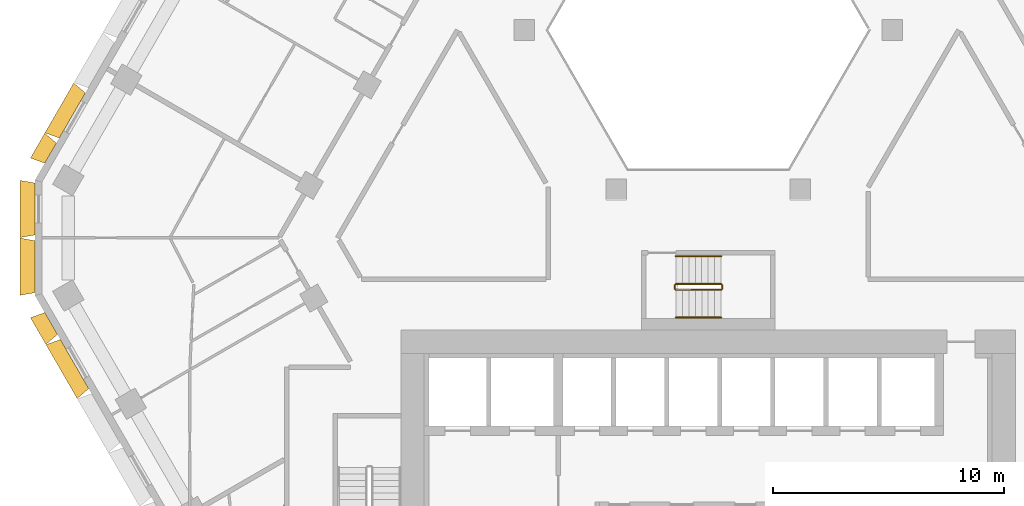
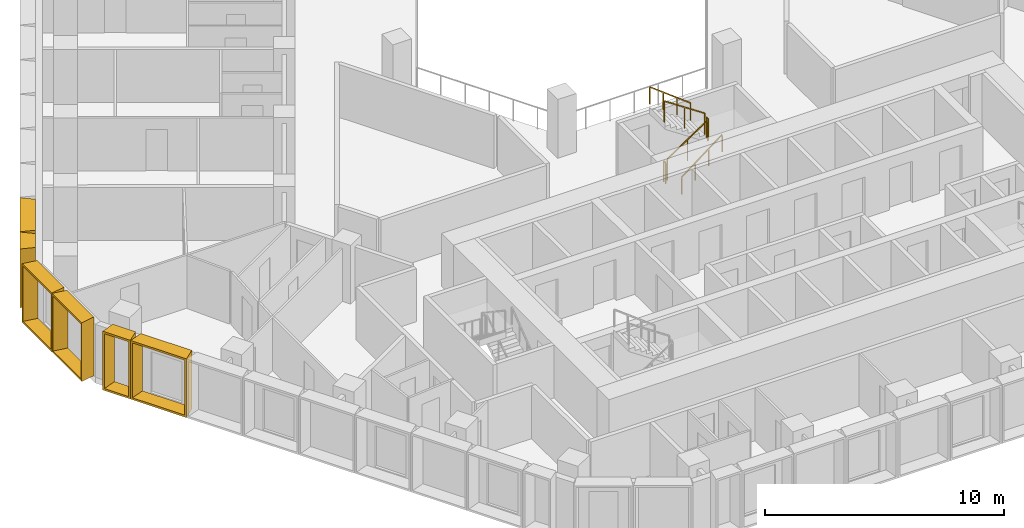
# One storey, part 14 of 16: 6 railings, 6 shading devices.
"""IFC4 building model written with IfcOpenShell, lengths in metres."""

from ifc_helpers import new_model, entity, si_unit, direction, frame, origin, origin_2d, place, context, subcontext, project, spatial, rectangle, extrude, source, transform, mapped, material, type_object, type_shapes, element, save


model = new_model("IFC4")

# Units and contexts
model_context = context("Model", 3, precision=1e-05, world=origin(), true_north=direction((0.0, 1.0)))
body_context = subcontext(model_context, "Body", "Model", "MODEL_VIEW")
ifc_project = project(units=[si_unit("LENGTHUNIT", "METRE"), si_unit("AREAUNIT", "SQUARE_METRE"), si_unit("VOLUMEUNIT", "CUBIC_METRE"), si_unit("PLANEANGLEUNIT", "RADIAN"), si_unit("MASSUNIT", "GRAM", prefix="KILO")], contexts=[model_context])

# Site, building, storey
site_placement = place(None, origin())
site = spatial("IfcSite", under=ifc_project, at=site_placement, CompositionType="ELEMENT")
building_placement = place(site_placement, origin())
building = spatial("IfcBuilding", under=site, at=building_placement, Name="Beryl Residences", CompositionType="ELEMENT")
storey_placement = place(building_placement, frame((0.0, 0.0, 96.0)))
storey = spatial("IfcBuildingStorey", under=building, at=storey_placement, Name="L29", CompositionType="ELEMENT", Elevation=96.0)

# Shading devices
ifc_material_1 = material(Name="Aluminium pale anodised", Category="aluminium")
shading_device_type_1 = type_object("IfcShadingDeviceType", Name="FR126-65A OUTER SKIN frame 650 mm deep, splay 10/10 deg, 1260 x 3000 mm cell", PredefinedType="USERDEFINED", material=ifc_material_1)
cartesian_point_1 = entity("IfcCartesianPoint", [-0.5048828125, 0.0])
cartesian_point_2 = entity("IfcCartesianPoint", [-0.423828125, 0.10009765625])
cartesian_point_3 = entity("IfcCartesianPoint", [-0.61962890625, 0.0])
cartesian_point_4 = entity("IfcCartesianPoint", [-0.538330078125, 0.10009765625])
shared_shape_1 = source(origin(), body_context, "Body", "SweptSolid", [
    entity("IfcExtrudedAreaSolidTapered", entity("IfcArbitraryProfileDefWithVoids", "AREA", None, entity("IfcPolyline", [cartesian_point_1, entity("IfcCartesianPoint", [0.5048828125, 0.0]), entity("IfcCartesianPoint", [0.5048828125, 3.0]), entity("IfcCartesianPoint", [-0.5048828125, 3.0]), cartesian_point_1]), [entity("IfcPolyline", [cartesian_point_2, entity("IfcCartesianPoint", [0.423828125, 0.10009765625]), entity("IfcCartesianPoint", [0.423828125, 2.89990234375]), entity("IfcCartesianPoint", [-0.423828125, 2.89990234375]), cartesian_point_2])]), entity("IfcAxis2Placement3D", entity("IfcCartesianPoint", [0.0, 0.0, 0.0]), entity("IfcDirection", [0.0, 1.0, 0.0]), entity("IfcDirection", [-1.0, 0.0, 0.0])), entity("IfcDirection", [0.0, 0.0, 1.0]), 0.64990234375, entity("IfcArbitraryProfileDefWithVoids", "AREA", None, entity("IfcPolyline", [cartesian_point_3, entity("IfcCartesianPoint", [0.61962890625, 0.0]), entity("IfcCartesianPoint", [0.61962890625, 3.0]), entity("IfcCartesianPoint", [-0.61962890625, 3.0]), cartesian_point_3]), [entity("IfcPolyline", [cartesian_point_4, entity("IfcCartesianPoint", [0.538330078125, 0.10009765625]), entity("IfcCartesianPoint", [0.538330078125, 2.89990234375]), entity("IfcCartesianPoint", [-0.538330078125, 2.89990234375]), cartesian_point_4])])),
])
type_shapes(shading_device_type_1, [shared_shape_1])
shading_device_1_placement = place(storey_placement, frame((-28.48193359375, 2.6689453125, 0.0), z_axis=(0.0, 0.0, 1.0), x_axis=(0.5, 0.866025403784, 0.0)))
element("IfcShadingDevice", 1, at=shading_device_1_placement, inside=storey, type_object=shading_device_type_1, Name="FR126-65A frame L29 NW 11", ObjectType="OUTER SKIN", PredefinedType="USERDEFINED", context=body_context, shape_type="MappedRepresentation", body=[
    mapped(shared_shape_1, transform((0.0, 0.0, 0.0))),
])
ifc_material_2 = material(Name="Aluminium pale anodised", Category="aluminium")
shading_device_type_2 = type_object("IfcShadingDeviceType", Name="FR135-65A OUTER SKIN frame 650 mm deep, splay 10/10 deg, 1350 x 3000 mm cell", PredefinedType="USERDEFINED", material=ifc_material_2)
cartesian_point_5 = entity("IfcCartesianPoint", [-0.550048828125, 0.0])
cartesian_point_6 = entity("IfcCartesianPoint", [-0.46875, 0.10009765625])
cartesian_point_7 = entity("IfcCartesianPoint", [-0.66455078125, 0.0])
cartesian_point_8 = entity("IfcCartesianPoint", [-0.58349609375, 0.10009765625])
shared_shape_2 = source(origin(), body_context, "Body", "SweptSolid", [
    entity("IfcExtrudedAreaSolidTapered", entity("IfcArbitraryProfileDefWithVoids", "AREA", None, entity("IfcPolyline", [cartesian_point_5, entity("IfcCartesianPoint", [0.550048828125, 0.0]), entity("IfcCartesianPoint", [0.550048828125, 3.0]), entity("IfcCartesianPoint", [-0.550048828125, 3.0]), cartesian_point_5]), [entity("IfcPolyline", [cartesian_point_6, entity("IfcCartesianPoint", [0.46875, 0.10009765625]), entity("IfcCartesianPoint", [0.46875, 2.89990234375]), entity("IfcCartesianPoint", [-0.46875, 2.89990234375]), cartesian_point_6])]), entity("IfcAxis2Placement3D", entity("IfcCartesianPoint", [0.0, 0.0, 0.0]), entity("IfcDirection", [0.0, 1.0, 0.0]), entity("IfcDirection", [-1.0, 0.0, 0.0])), entity("IfcDirection", [0.0, 0.0, 1.0]), 0.64990234375, entity("IfcArbitraryProfileDefWithVoids", "AREA", None, entity("IfcPolyline", [cartesian_point_7, entity("IfcCartesianPoint", [0.66455078125, 0.0]), entity("IfcCartesianPoint", [0.66455078125, 3.0]), entity("IfcCartesianPoint", [-0.66455078125, 3.0]), cartesian_point_7]), [entity("IfcPolyline", [cartesian_point_8, entity("IfcCartesianPoint", [0.58349609375, 0.10009765625]), entity("IfcCartesianPoint", [0.58349609375, 2.89990234375]), entity("IfcCartesianPoint", [-0.58349609375, 2.89990234375]), cartesian_point_8])])),
])
type_shapes(shading_device_type_2, [shared_shape_2])
shading_device_2_placement = place(storey_placement, frame((-28.4580078125, -4.7099609375, 0.0), z_axis=(0.0, 0.0, 1.0), x_axis=(-0.5, 0.866025403784, 0.0)))
element("IfcShadingDevice", 2, at=shading_device_2_placement, inside=storey, type_object=shading_device_type_2, Name="FR135-65A frame L29 SW 1", ObjectType="OUTER SKIN", PredefinedType="USERDEFINED", context=body_context, shape_type="MappedRepresentation", body=[
    mapped(shared_shape_2, transform((0.0, 0.0, 0.0))),
])
ifc_material_3 = material(Name="Aluminium pale anodised", Category="aluminium")
shading_device_type_3 = type_object("IfcShadingDeviceType", Name="FR250-65A OUTER SKIN frame 650 mm deep, splay 10/10 deg, 2500 x 3000 mm cell", PredefinedType="USERDEFINED", material=ifc_material_3)
cartesian_point_9 = entity("IfcCartesianPoint", [-1.125, 0.0])
cartesian_point_10 = entity("IfcCartesianPoint", [-1.043701171875, 0.10009765625])
cartesian_point_11 = entity("IfcCartesianPoint", [-1.239501953125, 0.0])
cartesian_point_12 = entity("IfcCartesianPoint", [-1.158447265625, 0.10009765625])
shared_shape_3 = source(origin(), body_context, "Body", "SweptSolid", [
    entity("IfcExtrudedAreaSolidTapered", entity("IfcArbitraryProfileDefWithVoids", "AREA", None, entity("IfcPolyline", [cartesian_point_9, entity("IfcCartesianPoint", [1.125, 0.0]), entity("IfcCartesianPoint", [1.125, 3.0]), entity("IfcCartesianPoint", [-1.125, 3.0]), cartesian_point_9]), [entity("IfcPolyline", [cartesian_point_10, entity("IfcCartesianPoint", [1.043701171875, 0.10009765625]), entity("IfcCartesianPoint", [1.043701171875, 2.89990234375]), entity("IfcCartesianPoint", [-1.043701171875, 2.89990234375]), cartesian_point_10])]), entity("IfcAxis2Placement3D", entity("IfcCartesianPoint", [0.0, 0.0, 0.0]), entity("IfcDirection", [0.0, 1.0, 0.0]), entity("IfcDirection", [-1.0, 0.0, 0.0])), entity("IfcDirection", [0.0, 0.0, 1.0]), 0.64990234375, entity("IfcArbitraryProfileDefWithVoids", "AREA", None, entity("IfcPolyline", [cartesian_point_11, entity("IfcCartesianPoint", [1.239501953125, 0.0]), entity("IfcCartesianPoint", [1.239501953125, 3.0]), entity("IfcCartesianPoint", [-1.239501953125, 3.0]), cartesian_point_11]), [entity("IfcPolyline", [cartesian_point_12, entity("IfcCartesianPoint", [1.158447265625, 0.10009765625]), entity("IfcCartesianPoint", [1.158447265625, 2.89990234375]), entity("IfcCartesianPoint", [-1.158447265625, 2.89990234375]), cartesian_point_12])])),
])
type_shapes(shading_device_type_3, [shared_shape_3])
for number, where, z_axis, x_axis, name in (
    (3, (-29.156982421875, 0.25, 0.0), (0.0, 0.0, 1.0), (0.0, 1.0, 0.0), "FR250-65A frame L29 NW-SW 1"),
    (4, (-29.156982421875, -2.25, 0.0), (0.0, 0.0, 1.0), (0.0, 1.0, 0.0), "FR250-65A frame L29 NW-SW 2"),
):
    element("IfcShadingDevice", number, at=place(storey_placement, frame(where, z_axis=z_axis, x_axis=x_axis)), inside=storey, type_object=shading_device_type_3, Name=name, ObjectType="OUTER SKIN", PredefinedType="USERDEFINED", context=body_context, shape_type="MappedRepresentation", body=[
        mapped(shared_shape_3, transform((0.0, 0.0, 0.0))),
    ])
ifc_material_4 = material(Name="Aluminium pale anodised", Category="aluminium")
shading_device_type_4 = type_object("IfcShadingDeviceType", Name="FR251-65A OUTER SKIN frame 650 mm deep, splay 10/10 deg, 2510 x 3000 mm cell", PredefinedType="USERDEFINED", material=ifc_material_4)
cartesian_point_13 = entity("IfcCartesianPoint", [-1.1298828125, 0.0])
cartesian_point_14 = entity("IfcCartesianPoint", [-1.048828125, 0.10009765625])
cartesian_point_15 = entity("IfcCartesianPoint", [-1.24462890625, 0.0])
cartesian_point_16 = entity("IfcCartesianPoint", [-1.163330078125, 0.10009765625])
shared_shape_4 = source(origin(), body_context, "Body", "SweptSolid", [
    entity("IfcExtrudedAreaSolidTapered", entity("IfcArbitraryProfileDefWithVoids", "AREA", None, entity("IfcPolyline", [cartesian_point_13, entity("IfcCartesianPoint", [1.1298828125, 0.0]), entity("IfcCartesianPoint", [1.1298828125, 3.0]), entity("IfcCartesianPoint", [-1.1298828125, 3.0]), cartesian_point_13]), [entity("IfcPolyline", [cartesian_point_14, entity("IfcCartesianPoint", [1.048828125, 0.10009765625]), entity("IfcCartesianPoint", [1.048828125, 2.89990234375]), entity("IfcCartesianPoint", [-1.048828125, 2.89990234375]), cartesian_point_14])]), entity("IfcAxis2Placement3D", entity("IfcCartesianPoint", [0.0, 0.0, 0.0]), entity("IfcDirection", [0.0, 1.0, 0.0]), entity("IfcDirection", [-1.0, 0.0, 0.0])), entity("IfcDirection", [0.0, 0.0, 1.0]), 0.64990234375, entity("IfcArbitraryProfileDefWithVoids", "AREA", None, entity("IfcPolyline", [cartesian_point_15, entity("IfcCartesianPoint", [1.24462890625, 0.0]), entity("IfcCartesianPoint", [1.24462890625, 3.0]), entity("IfcCartesianPoint", [-1.24462890625, 3.0]), cartesian_point_15]), [entity("IfcPolyline", [cartesian_point_16, entity("IfcCartesianPoint", [1.163330078125, 0.10009765625]), entity("IfcCartesianPoint", [1.163330078125, 2.89990234375]), entity("IfcCartesianPoint", [-1.163330078125, 2.89990234375]), cartesian_point_16])])),
])
type_shapes(shading_device_type_4, [shared_shape_4])
shading_device_3_placement = place(storey_placement, frame((-27.5400390625, 4.300048828125, 0.0), z_axis=(0.0, 0.0, 1.0), x_axis=(0.5, 0.866025403784, 0.0)))
element("IfcShadingDevice", 5, at=shading_device_3_placement, inside=storey, type_object=shading_device_type_4, Name="FR251-65A frame L29 NW 10", ObjectType="OUTER SKIN", PredefinedType="USERDEFINED", context=body_context, shape_type="MappedRepresentation", body=[
    mapped(shared_shape_4, transform((0.0, 0.0, 0.0))),
])
ifc_material_5 = material(Name="Aluminium pale anodised", Category="aluminium")
shading_device_type_5 = type_object("IfcShadingDeviceType", Name="FR271-65A OUTER SKIN frame 650 mm deep, splay 10/10 deg, 2710 x 3000 mm cell", PredefinedType="USERDEFINED", material=ifc_material_5)
cartesian_point_17 = entity("IfcCartesianPoint", [-1.22998046875, 0.0])
cartesian_point_18 = entity("IfcCartesianPoint", [-1.148681640625, 0.10009765625])
cartesian_point_19 = entity("IfcCartesianPoint", [-1.3447265625, 0.0])
cartesian_point_20 = entity("IfcCartesianPoint", [-1.263427734375, 0.10009765625])
shared_shape_5 = source(origin(), body_context, "Body", "SweptSolid", [
    entity("IfcExtrudedAreaSolidTapered", entity("IfcArbitraryProfileDefWithVoids", "AREA", None, entity("IfcPolyline", [cartesian_point_17, entity("IfcCartesianPoint", [1.22998046875, 0.0]), entity("IfcCartesianPoint", [1.22998046875, 3.0]), entity("IfcCartesianPoint", [-1.22998046875, 3.0]), cartesian_point_17]), [entity("IfcPolyline", [cartesian_point_18, entity("IfcCartesianPoint", [1.148681640625, 0.10009765625]), entity("IfcCartesianPoint", [1.148681640625, 2.89990234375]), entity("IfcCartesianPoint", [-1.148681640625, 2.89990234375]), cartesian_point_18])]), entity("IfcAxis2Placement3D", entity("IfcCartesianPoint", [0.0, 0.0, 0.0]), entity("IfcDirection", [0.0, 1.0, 0.0]), entity("IfcDirection", [-1.0, 0.0, 0.0])), entity("IfcDirection", [0.0, 0.0, 1.0]), 0.64990234375, entity("IfcArbitraryProfileDefWithVoids", "AREA", None, entity("IfcPolyline", [cartesian_point_19, entity("IfcCartesianPoint", [1.3447265625, 0.0]), entity("IfcCartesianPoint", [1.3447265625, 3.0]), entity("IfcCartesianPoint", [-1.3447265625, 3.0]), cartesian_point_19]), [entity("IfcPolyline", [cartesian_point_20, entity("IfcCartesianPoint", [1.263427734375, 0.10009765625]), entity("IfcCartesianPoint", [1.263427734375, 2.89990234375]), entity("IfcCartesianPoint", [-1.263427734375, 2.89990234375]), cartesian_point_20])])),
])
type_shapes(shading_device_type_5, [shared_shape_5])
shading_device_4_placement = place(storey_placement, frame((-27.443115234375, -6.468017578125, 0.0), z_axis=(0.0, 0.0, 1.0), x_axis=(-0.5, 0.866025403784, 0.0)))
element("IfcShadingDevice", 6, at=shading_device_4_placement, inside=storey, type_object=shading_device_type_5, Name="FR271-65A frame L29 SW 2", ObjectType="OUTER SKIN", PredefinedType="USERDEFINED", context=body_context, shape_type="MappedRepresentation", body=[
    mapped(shared_shape_5, transform((0.0, 0.0, 0.0))),
])

# Railings
ifc_material_6 = material(Name="Stainless steel balustrade with glass infill", Category="steel")
railing_type_1 = type_object("IfcRailingType", Name="SG1 stair guard 1100 mm", PredefinedType="GUARDRAIL", material=ifc_material_6)
railing_1_placement = place(storey_placement, frame((-1.39990234375, -3.25, 0.1875)))
element("IfcRailing", 7, at=railing_1_placement, inside=storey, type_object=railing_type_1, Name="L29 ST-4 stair guard 1", PredefinedType="GUARDRAIL", context=body_context, shape_type="SweptSolid", body=[
    extrude(rectangle(XDim=0.048095703125, YDim=0.048095703125, at=origin_2d()), frame((0.0, 0.0, 1.076171875), z_axis=(0.830902050051, 0.0, 0.556418712142), x_axis=(0.0, 1.0, 0.0)), (0.0, 0.0, 1.0), 2.35888671875),
    extrude(rectangle(XDim=0.0419921875, YDim=0.0419921875, at=origin_2d()), origin(), (0.0, 0.0, 1.0), 1.052001953125),
    extrude(rectangle(XDim=0.0419921875, YDim=0.0419921875, at=origin_2d()), frame((0.97998046875, 0.0, 0.65625)), (0.0, 0.0, 1.0), 1.052001953125),
    extrude(rectangle(XDim=0.0419921875, YDim=0.0419921875, at=origin_2d()), frame((1.9599609375, 0.0, 1.3125)), (0.0, 0.0, 1.0), 1.052001953125),
])
railing_2_placement = place(storey_placement, frame((0.610107421875, -3.199951171875, 1.5)))
element("IfcRailing", 8, at=railing_2_placement, inside=storey, type_object=railing_type_1, Name="L29 ST-4 stair guard 2", PredefinedType="GUARDRAIL", context=body_context, shape_type="SweptSolid", body=[
    extrude(rectangle(XDim=0.048095703125, YDim=0.048095703125, at=origin_2d()), frame((0.0, 0.0, 1.076171875), z_axis=(0.0, 1.0, 0.0), x_axis=(-1.0, 0.0, 0.0)), (0.0, 0.0, 1.0), 0.14990234375),
    extrude(rectangle(XDim=0.0419921875, YDim=0.0419921875, at=origin_2d()), origin(), (0.0, 0.0, 1.0), 1.052001953125),
    extrude(rectangle(XDim=0.0419921875, YDim=0.0419921875, at=origin_2d()), frame((0.0, 0.14990234375, 0.0)), (0.0, 0.0, 1.0), 1.052001953125),
])
railing_3_placement = place(storey_placement, frame((0.56005859375, -3.0, 1.6875)))
element("IfcRailing", 9, at=railing_3_placement, inside=storey, type_object=railing_type_1, Name="L29 ST-4 stair guard 3", PredefinedType="GUARDRAIL", context=body_context, shape_type="SweptSolid", body=[
    extrude(rectangle(XDim=0.048095703125, YDim=0.048095703125, at=origin_2d()), frame((0.0, 0.0, 1.076171875), z_axis=(-0.830902050051, 0.0, 0.556418712142), x_axis=(0.0, -1.0, 0.0)), (0.0, 0.0, 1.0), 2.35888671875),
    extrude(rectangle(XDim=0.0419921875, YDim=0.0419921875, at=origin_2d()), origin(), (0.0, 0.0, 1.0), 1.052001953125),
    extrude(rectangle(XDim=0.0419921875, YDim=0.0419921875, at=origin_2d()), frame((-0.97998046875, 0.0, 0.65625)), (0.0, 0.0, 1.0), 1.052001953125),
    extrude(rectangle(XDim=0.0419921875, YDim=0.0419921875, at=origin_2d()), frame((-1.9599609375, 0.0, 1.3125)), (0.0, 0.0, 1.0), 1.052001953125),
])
railing_4_placement = place(storey_placement, frame((-1.449951171875, -3.199951171875, 0.0)))
element("IfcRailing", 10, at=railing_4_placement, inside=storey, type_object=railing_type_1, Name="L29 ST-4 stair guard 4", PredefinedType="GUARDRAIL", context=body_context, shape_type="SweptSolid", body=[
    extrude(rectangle(XDim=0.048095703125, YDim=0.048095703125, at=origin_2d()), frame((0.0, 0.0, 1.076171875), z_axis=(0.0, 1.0, 0.0), x_axis=(-1.0, 0.0, 0.0)), (0.0, 0.0, 1.0), 0.14990234375),
    extrude(rectangle(XDim=0.0419921875, YDim=0.0419921875, at=origin_2d()), origin(), (0.0, 0.0, 1.0), 1.052001953125),
    extrude(rectangle(XDim=0.0419921875, YDim=0.0419921875, at=origin_2d()), frame((0.0, 0.14990234375, 0.0)), (0.0, 0.0, 1.0), 1.052001953125),
])
ifc_material_7 = material(Name="Stainless steel handrail", Category="steel")
railing_type_2 = type_object("IfcRailingType", Name="SRL1 stair handrail 900 mm", PredefinedType="HANDRAIL", material=ifc_material_7)
railing_5_placement = place(storey_placement, frame((-1.39990234375, -4.449951171875, 0.1875)))
element("IfcRailing", 11, at=railing_5_placement, inside=storey, type_object=railing_type_2, Name="L29 ST-4 stair handrail 1", PredefinedType="HANDRAIL", context=body_context, shape_type="SweptSolid", body=[
    extrude(rectangle(XDim=0.048095703125, YDim=0.048095703125, at=origin_2d()), frame((0.0, 0.0, 0.8759765625), z_axis=(0.794121922505, 0.0, 0.607758481798), x_axis=(0.0, 1.0, 0.0)), (0.0, 0.0, 1.0), 2.468017578125),
    extrude(rectangle(XDim=0.0419921875, YDim=0.0419921875, at=origin_2d()), origin(), (0.0, 0.0, 1.0), 0.851806640625),
    extrude(rectangle(XDim=0.0419921875, YDim=0.0419921875, at=origin_2d()), frame((0.6533203125, 0.0, 0.5)), (0.0, 0.0, 1.0), 0.851806640625),
    extrude(rectangle(XDim=0.0419921875, YDim=0.0419921875, at=origin_2d()), frame((1.306640625, 0.0, 1.0)), (0.0, 0.0, 1.0), 0.851806640625),
    extrude(rectangle(XDim=0.0419921875, YDim=0.0419921875, at=origin_2d()), frame((1.9599609375, 0.0, 1.5)), (0.0, 0.0, 1.0), 0.851806640625),
])
railing_6_placement = place(storey_placement, frame((0.56005859375, -1.800048828125, 1.6875)))
element("IfcRailing", 12, at=railing_6_placement, inside=storey, type_object=railing_type_2, Name="L29 ST-4 stair handrail 2", PredefinedType="HANDRAIL", context=body_context, shape_type="SweptSolid", body=[
    extrude(rectangle(XDim=0.048095703125, YDim=0.048095703125, at=origin_2d()), frame((0.0, 0.0, 0.8759765625), z_axis=(-0.794121922505, 0.0, 0.607758481798), x_axis=(0.0, -1.0, 0.0)), (0.0, 0.0, 1.0), 2.468017578125),
    extrude(rectangle(XDim=0.0419921875, YDim=0.0419921875, at=origin_2d()), origin(), (0.0, 0.0, 1.0), 0.851806640625),
    extrude(rectangle(XDim=0.0419921875, YDim=0.0419921875, at=origin_2d()), frame((-0.6533203125, 0.0, 0.5)), (0.0, 0.0, 1.0), 0.851806640625),
    extrude(rectangle(XDim=0.0419921875, YDim=0.0419921875, at=origin_2d()), frame((-1.306640625, 0.0, 1.0)), (0.0, 0.0, 1.0), 0.851806640625),
    extrude(rectangle(XDim=0.0419921875, YDim=0.0419921875, at=origin_2d()), frame((-1.9599609375, 0.0, 1.5)), (0.0, 0.0, 1.0), 0.851806640625),
])

save(model, "model.ifc")
